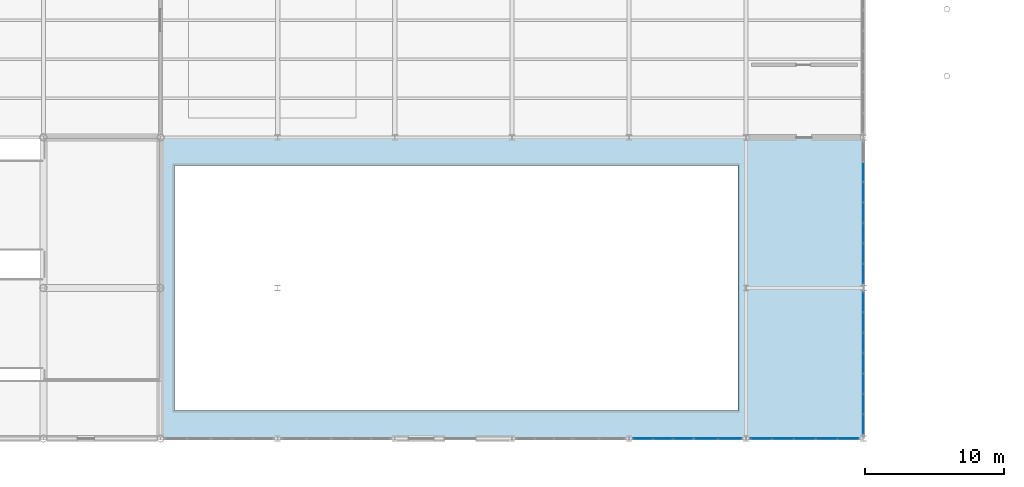
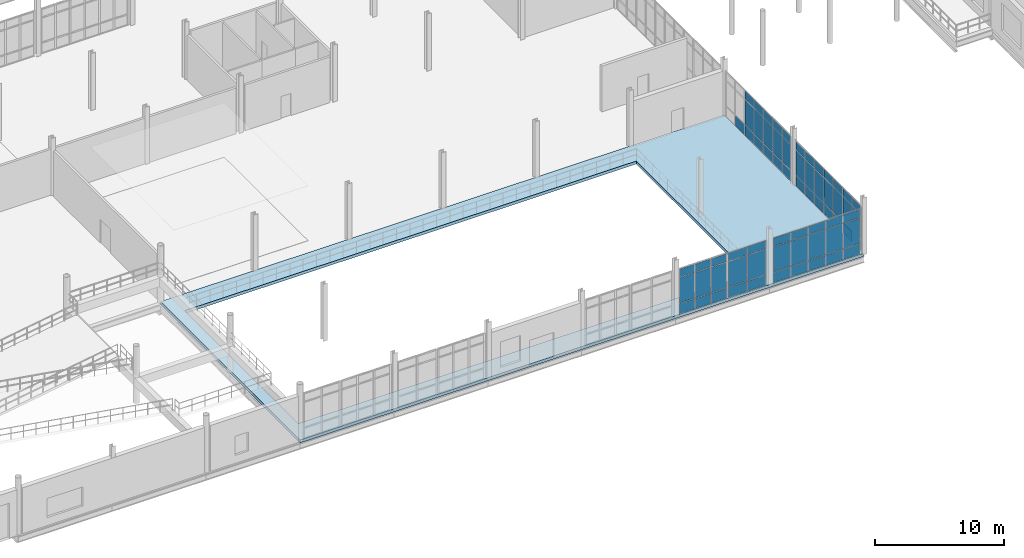
# One storey, part 81 of 111: 67 plates, 1 slab, 5 elements without a shape of their own.
"""IFC4 building model written with IfcOpenShell, lengths in metres."""

from ifc_helpers import new_model, si_unit, direction, frame, origin, origin_2d, place, context, subcontext, project, spatial, polyline, rectangle, outline, extrude, material, layer, layer_set, type_object, element, aggregate, save


model = new_model("IFC4")

# Units and contexts
model_context = context("Model", 3, precision=1e-05, world=origin(), true_north=direction((0.0, 1.0)))
body_context = subcontext(model_context, "Body", "Model", "MODEL_VIEW")
ifc_project = project(units=[si_unit("LENGTHUNIT", "METRE"), si_unit("AREAUNIT", "SQUARE_METRE"), si_unit("VOLUMEUNIT", "CUBIC_METRE"), si_unit("PLANEANGLEUNIT", "RADIAN"), si_unit("MASSUNIT", "GRAM", prefix="KILO"), si_unit("THERMODYNAMICTEMPERATUREUNIT", "KELVIN"), si_unit("POWERUNIT", "WATT")], contexts=[model_context])

# Site, building, storey
site_placement = place(None, origin())
site = spatial("IfcSite", under=ifc_project, at=site_placement, CompositionType="ELEMENT")
building_placement = place(site_placement, origin())
building = spatial("IfcBuilding", under=site, at=building_placement, Name="Tembeka Court Mobility Hub", CompositionType="ELEMENT")
storey_placement = place(building_placement, origin())
storey = spatial("IfcBuildingStorey", under=building, at=storey_placement, Name="L00", CompositionType="ELEMENT", Elevation=0.0)

# Curtain wall, plates
ifc_material_1 = material(Name="Anodised aluminium 6063-T6", Category="aluminium")
ifc_layer_1 = layer(ifc_material_1, 0.159912109375)
ifc_layer_set_1 = layer_set([ifc_layer_1], Name="Anodised aluminium 6063-T6")
curtain_wall_type_1 = type_object("IfcCurtainWallType", Name="CW-SYS09", PredefinedType="USERDEFINED", material=ifc_layer_set_1)
curtain_wall_1_placement = place(storey_placement, origin())
curtain_wall_1 = element("IfcCurtainWall", 1, at=curtain_wall_1_placement, inside=storey, type_object=curtain_wall_type_1, Name="Unitised curtain wall CW09 (CW-L00-009)", ObjectType="UNITISED GLAZING", PredefinedType="USERDEFINED")
ifc_material_2 = material(Name="Laminated solar-control low-E glass", Category="glass")
ifc_layer_2 = layer(ifc_material_2, 0.028076171875)
ifc_layer_set_2 = layer_set([ifc_layer_2], Name="Laminated solar-control low-E glass")
plate_type_1 = type_object("IfcPlateType", Name="PL-CW01", PredefinedType="CURTAIN_PANEL", material=ifc_layer_set_2)
plate_1_placement = place(storey_placement, frame((81.126220703125, 0.0, 0.06494140625), z_axis=(0.0, 0.0, 1.0), x_axis=(1.0, 0.0, 0.0)))
plate_1 = element("IfcPlate", 2, at=plate_1_placement, type_object=plate_type_1, Name="CW09 panel 1.1", PredefinedType="CURTAIN_PANEL", context=body_context, shape_type="SweptSolid", body=[
    extrude(rectangle(XDim=1.642578125, YDim=0.028076171875, at=origin_2d()), origin(), (0.0, 0.0, 1.0), 0.952392578125),
])
plate_2_placement = place(storey_placement, frame((81.126220703125, 0.0, 1.08251953125), z_axis=(0.0, 0.0, 1.0), x_axis=(1.0, 0.0, 0.0)))
plate_2 = element("IfcPlate", 3, at=plate_2_placement, type_object=plate_type_1, Name="CW09 panel 1.2", PredefinedType="CURTAIN_PANEL", context=body_context, shape_type="SweptSolid", body=[
    extrude(rectangle(XDim=1.642578125, YDim=0.028076171875, at=origin_2d()), origin(), (0.0, 0.0, 1.0), 2.3701171875),
])
plate_3_placement = place(storey_placement, frame((81.126220703125, 0.0, 3.517578125), z_axis=(0.0, 0.0, 1.0), x_axis=(1.0, 0.0, 0.0)))
plate_3 = element("IfcPlate", 4, at=plate_3_placement, type_object=plate_type_1, Name="CW09 panel 1.3", PredefinedType="CURTAIN_PANEL", context=body_context, shape_type="SweptSolid", body=[
    extrude(rectangle(XDim=1.642578125, YDim=0.028076171875, at=origin_2d()), origin(), (0.0, 0.0, 1.0), 0.75244140625),
])
plate_4_placement = place(storey_placement, frame((82.833740234375, 0.0, 0.06494140625), z_axis=(0.0, 0.0, 1.0), x_axis=(1.0, 0.0, 0.0)))
plate_4 = element("IfcPlate", 5, at=plate_4_placement, type_object=plate_type_1, Name="CW09 panel 2.1", PredefinedType="CURTAIN_PANEL", context=body_context, shape_type="SweptSolid", body=[
    extrude(rectangle(XDim=1.642578125, YDim=0.028076171875, at=origin_2d()), origin(), (0.0, 0.0, 1.0), 0.952392578125),
])
plate_5_placement = place(storey_placement, frame((82.833740234375, 0.0, 1.08251953125), z_axis=(0.0, 0.0, 1.0), x_axis=(1.0, 0.0, 0.0)))
plate_5 = element("IfcPlate", 6, at=plate_5_placement, type_object=plate_type_1, Name="CW09 panel 2.2", PredefinedType="CURTAIN_PANEL", context=body_context, shape_type="SweptSolid", body=[
    extrude(rectangle(XDim=1.642578125, YDim=0.028076171875, at=origin_2d()), origin(), (0.0, 0.0, 1.0), 2.3701171875),
])
plate_6_placement = place(storey_placement, frame((82.833740234375, 0.0, 3.517578125), z_axis=(0.0, 0.0, 1.0), x_axis=(1.0, 0.0, 0.0)))
plate_6 = element("IfcPlate", 7, at=plate_6_placement, type_object=plate_type_1, Name="CW09 panel 2.3", PredefinedType="CURTAIN_PANEL", context=body_context, shape_type="SweptSolid", body=[
    extrude(rectangle(XDim=1.642578125, YDim=0.028076171875, at=origin_2d()), origin(), (0.0, 0.0, 1.0), 0.75244140625),
])
aggregate(curtain_wall_1, [plate_1, plate_2, plate_3, plate_4, plate_5, plate_6])

ifc_layer_3 = layer(ifc_material_1, 0.159912109375)
ifc_layer_set_3 = layer_set([ifc_layer_3], Name="Anodised aluminium 6063-T6")
curtain_wall_type_2 = type_object("IfcCurtainWallType", Name="CW-SYS01", PredefinedType="USERDEFINED", material=ifc_layer_set_3)
curtain_wall_2_placement = place(storey_placement, origin())
curtain_wall_2 = element("IfcCurtainWall", 8, at=curtain_wall_2_placement, inside=storey, type_object=curtain_wall_type_2, Name="Unitised curtain wall CW01 (CW-L00-010)", ObjectType="UNITISED GLAZING", PredefinedType="USERDEFINED")
plate_7_placement = place(storey_placement, frame((85.080322265625, 0.0, 0.06494140625), z_axis=(0.0, 0.0, 1.0), x_axis=(1.0, 0.0, 0.0)))
plate_7 = element("IfcPlate", 9, at=plate_7_placement, type_object=plate_type_1, Name="CW01 panel 1.1", PredefinedType="CURTAIN_PANEL", context=body_context, shape_type="SweptSolid", body=[
    extrude(rectangle(XDim=1.470458984375, YDim=0.028076171875, at=origin_2d()), origin(), (0.0, 0.0, 1.0), 0.952392578125),
])
plate_8_placement = place(storey_placement, frame((85.080322265625, 0.0, 1.08251953125), z_axis=(0.0, 0.0, 1.0), x_axis=(1.0, 0.0, 0.0)))
plate_8 = element("IfcPlate", 10, at=plate_8_placement, type_object=plate_type_1, Name="CW01 panel 1.2", PredefinedType="CURTAIN_PANEL", context=body_context, shape_type="SweptSolid", body=[
    extrude(rectangle(XDim=1.470458984375, YDim=0.028076171875, at=origin_2d()), origin(), (0.0, 0.0, 1.0), 2.3701171875),
])
plate_9_placement = place(storey_placement, frame((85.080322265625, 0.0, 3.517578125), z_axis=(0.0, 0.0, 1.0), x_axis=(1.0, 0.0, 0.0)))
plate_9 = element("IfcPlate", 11, at=plate_9_placement, type_object=plate_type_1, Name="CW01 panel 1.3", PredefinedType="CURTAIN_PANEL", context=body_context, shape_type="SweptSolid", body=[
    extrude(rectangle(XDim=1.470458984375, YDim=0.028076171875, at=origin_2d()), origin(), (0.0, 0.0, 1.0), 0.75244140625),
])
plate_10_placement = place(storey_placement, frame((86.632080078125, 0.0, 0.06494140625), z_axis=(0.0, 0.0, 1.0), x_axis=(1.0, 0.0, 0.0)))
plate_10 = element("IfcPlate", 12, at=plate_10_placement, type_object=plate_type_1, Name="CW01 panel 2.1", PredefinedType="CURTAIN_PANEL", context=body_context, shape_type="SweptSolid", body=[
    extrude(rectangle(XDim=1.5029296875, YDim=0.028076171875, at=origin_2d()), origin(), (0.0, 0.0, 1.0), 0.952392578125),
])
plate_11_placement = place(storey_placement, frame((86.632080078125, 0.0, 1.08251953125), z_axis=(0.0, 0.0, 1.0), x_axis=(1.0, 0.0, 0.0)))
plate_11 = element("IfcPlate", 13, at=plate_11_placement, type_object=plate_type_1, Name="CW01 panel 2.2", PredefinedType="CURTAIN_PANEL", context=body_context, shape_type="SweptSolid", body=[
    extrude(rectangle(XDim=1.5029296875, YDim=0.028076171875, at=origin_2d()), origin(), (0.0, 0.0, 1.0), 2.3701171875),
])
plate_12_placement = place(storey_placement, frame((86.632080078125, 0.0, 3.517578125), z_axis=(0.0, 0.0, 1.0), x_axis=(1.0, 0.0, 0.0)))
plate_12 = element("IfcPlate", 14, at=plate_12_placement, type_object=plate_type_1, Name="CW01 panel 2.3", PredefinedType="CURTAIN_PANEL", context=body_context, shape_type="SweptSolid", body=[
    extrude(rectangle(XDim=1.5029296875, YDim=0.028076171875, at=origin_2d()), origin(), (0.0, 0.0, 1.0), 0.75244140625),
])
plate_13_placement = place(storey_placement, frame((88.199951171875, 0.0, 0.06494140625), z_axis=(0.0, 0.0, 1.0), x_axis=(1.0, 0.0, 0.0)))
plate_13 = element("IfcPlate", 15, at=plate_13_placement, type_object=plate_type_1, Name="CW01 panel 3.1", PredefinedType="CURTAIN_PANEL", context=body_context, shape_type="SweptSolid", body=[
    extrude(rectangle(XDim=1.5029296875, YDim=0.028076171875, at=origin_2d()), origin(), (0.0, 0.0, 1.0), 0.952392578125),
])
plate_14_placement = place(storey_placement, frame((88.199951171875, 0.0, 1.08251953125), z_axis=(0.0, 0.0, 1.0), x_axis=(1.0, 0.0, 0.0)))
plate_14 = element("IfcPlate", 16, at=plate_14_placement, type_object=plate_type_1, Name="CW01 panel 3.2", PredefinedType="CURTAIN_PANEL", context=body_context, shape_type="SweptSolid", body=[
    extrude(rectangle(XDim=1.5029296875, YDim=0.028076171875, at=origin_2d()), origin(), (0.0, 0.0, 1.0), 2.3701171875),
])
plate_15_placement = place(storey_placement, frame((88.199951171875, 0.0, 3.517578125), z_axis=(0.0, 0.0, 1.0), x_axis=(1.0, 0.0, 0.0)))
plate_15 = element("IfcPlate", 17, at=plate_15_placement, type_object=plate_type_1, Name="CW01 panel 3.3", PredefinedType="CURTAIN_PANEL", context=body_context, shape_type="SweptSolid", body=[
    extrude(rectangle(XDim=1.5029296875, YDim=0.028076171875, at=origin_2d()), origin(), (0.0, 0.0, 1.0), 0.75244140625),
])
plate_16_placement = place(storey_placement, frame((89.76806640625, 0.0, 0.06494140625), z_axis=(0.0, 0.0, 1.0), x_axis=(1.0, 0.0, 0.0)))
plate_16 = element("IfcPlate", 18, at=plate_16_placement, type_object=plate_type_1, Name="CW01 panel 4.1", PredefinedType="CURTAIN_PANEL", context=body_context, shape_type="SweptSolid", body=[
    extrude(rectangle(XDim=1.5029296875, YDim=0.028076171875, at=origin_2d()), origin(), (0.0, 0.0, 1.0), 0.952392578125),
])
plate_17_placement = place(storey_placement, frame((89.76806640625, 0.0, 1.08251953125), z_axis=(0.0, 0.0, 1.0), x_axis=(1.0, 0.0, 0.0)))
plate_17 = element("IfcPlate", 19, at=plate_17_placement, type_object=plate_type_1, Name="CW01 panel 4.2", PredefinedType="CURTAIN_PANEL", context=body_context, shape_type="SweptSolid", body=[
    extrude(rectangle(XDim=1.5029296875, YDim=0.028076171875, at=origin_2d()), origin(), (0.0, 0.0, 1.0), 2.3701171875),
])
plate_18_placement = place(storey_placement, frame((89.76806640625, 0.0, 3.517578125), z_axis=(0.0, 0.0, 1.0), x_axis=(1.0, 0.0, 0.0)))
plate_18 = element("IfcPlate", 20, at=plate_18_placement, type_object=plate_type_1, Name="CW01 panel 4.3", PredefinedType="CURTAIN_PANEL", context=body_context, shape_type="SweptSolid", body=[
    extrude(rectangle(XDim=1.5029296875, YDim=0.028076171875, at=origin_2d()), origin(), (0.0, 0.0, 1.0), 0.75244140625),
])
plate_19_placement = place(storey_placement, frame((91.31982421875, 0.0, 0.06494140625), z_axis=(0.0, 0.0, 1.0), x_axis=(1.0, 0.0, 0.0)))
plate_19 = element("IfcPlate", 21, at=plate_19_placement, type_object=plate_type_1, Name="CW01 panel 5.1", PredefinedType="CURTAIN_PANEL", context=body_context, shape_type="SweptSolid", body=[
    extrude(rectangle(XDim=1.470458984375, YDim=0.028076171875, at=origin_2d()), origin(), (0.0, 0.0, 1.0), 0.952392578125),
])
plate_20_placement = place(storey_placement, frame((91.31982421875, 0.0, 1.08251953125), z_axis=(0.0, 0.0, 1.0), x_axis=(1.0, 0.0, 0.0)))
plate_20 = element("IfcPlate", 22, at=plate_20_placement, type_object=plate_type_1, Name="CW01 panel 5.2", PredefinedType="CURTAIN_PANEL", context=body_context, shape_type="SweptSolid", body=[
    extrude(rectangle(XDim=1.470458984375, YDim=0.028076171875, at=origin_2d()), origin(), (0.0, 0.0, 1.0), 2.3701171875),
])
plate_21_placement = place(storey_placement, frame((91.31982421875, 0.0, 3.517578125), z_axis=(0.0, 0.0, 1.0), x_axis=(1.0, 0.0, 0.0)))
plate_21 = element("IfcPlate", 23, at=plate_21_placement, type_object=plate_type_1, Name="CW01 panel 5.3", PredefinedType="CURTAIN_PANEL", context=body_context, shape_type="SweptSolid", body=[
    extrude(rectangle(XDim=1.470458984375, YDim=0.028076171875, at=origin_2d()), origin(), (0.0, 0.0, 1.0), 0.75244140625),
])
aggregate(curtain_wall_2, [plate_7, plate_8, plate_9, plate_10, plate_11, plate_12, plate_13, plate_14, plate_15, plate_16, plate_17, plate_18, plate_19, plate_20, plate_21])

ifc_layer_4 = layer(ifc_material_1, 0.159912109375)
ifc_layer_set_4 = layer_set([ifc_layer_4], Name="Anodised aluminium 6063-T6")
curtain_wall_type_3 = type_object("IfcCurtainWallType", Name="CW-SYS18", PredefinedType="USERDEFINED", material=ifc_layer_set_4)
curtain_wall_3_placement = place(storey_placement, origin())
curtain_wall_3 = element("IfcCurtainWall", 24, at=curtain_wall_3_placement, inside=storey, type_object=curtain_wall_type_3, Name="Unitised curtain wall CW18 (CW-L00-023)", ObjectType="UNITISED GLAZING", PredefinedType="USERDEFINED")
plate_22_placement = place(storey_placement, frame((92.39990234375, 1.027587890625, 0.06494140625), z_axis=(0.0, 0.0, 1.0), x_axis=(0.0, 1.0, 0.0)))
plate_22 = element("IfcPlate", 25, at=plate_22_placement, type_object=plate_type_1, Name="CW18 panel 1.1", PredefinedType="CURTAIN_PANEL", context=body_context, shape_type="SweptSolid", body=[
    extrude(rectangle(XDim=1.365478515625, YDim=0.028076171875, at=origin_2d()), origin(), (0.0, 0.0, 1.0), 0.952392578125),
])
plate_23_placement = place(storey_placement, frame((92.39990234375, 1.027587890625, 1.08251953125), z_axis=(0.0, 0.0, 1.0), x_axis=(0.0, 1.0, 0.0)))
plate_23 = element("IfcPlate", 26, at=plate_23_placement, type_object=plate_type_1, Name="CW18 panel 1.2", PredefinedType="CURTAIN_PANEL", context=body_context, shape_type="SweptSolid", body=[
    extrude(rectangle(XDim=1.365478515625, YDim=0.028076171875, at=origin_2d()), origin(), (0.0, 0.0, 1.0), 2.3701171875),
])
plate_24_placement = place(storey_placement, frame((92.39990234375, 1.027587890625, 3.517578125), z_axis=(0.0, 0.0, 1.0), x_axis=(0.0, 1.0, 0.0)))
plate_24 = element("IfcPlate", 27, at=plate_24_placement, type_object=plate_type_1, Name="CW18 panel 1.3", PredefinedType="CURTAIN_PANEL", context=body_context, shape_type="SweptSolid", body=[
    extrude(rectangle(XDim=1.365478515625, YDim=0.028076171875, at=origin_2d()), origin(), (0.0, 0.0, 1.0), 0.75244140625),
])
plate_25_placement = place(storey_placement, frame((92.39990234375, 2.474365234375, 0.06494140625), z_axis=(0.0, 0.0, 1.0), x_axis=(0.0, 1.0, 0.0)))
plate_25 = element("IfcPlate", 28, at=plate_25_placement, type_object=plate_type_1, Name="CW18 panel 2.1", PredefinedType="CURTAIN_PANEL", context=body_context, shape_type="SweptSolid", body=[
    extrude(rectangle(XDim=1.39794921875, YDim=0.028076171875, at=origin_2d()), origin(), (0.0, 0.0, 1.0), 0.952392578125),
])
plate_26_placement = place(storey_placement, frame((92.39990234375, 2.474365234375, 1.08251953125), z_axis=(0.0, 0.0, 1.0), x_axis=(0.0, 1.0, 0.0)))
plate_26 = element("IfcPlate", 29, at=plate_26_placement, type_object=plate_type_1, Name="CW18 panel 2.2", PredefinedType="CURTAIN_PANEL", context=body_context, shape_type="SweptSolid", body=[
    extrude(rectangle(XDim=1.39794921875, YDim=0.028076171875, at=origin_2d()), origin(), (0.0, 0.0, 1.0), 2.3701171875),
])
plate_27_placement = place(storey_placement, frame((92.39990234375, 2.474365234375, 3.517578125), z_axis=(0.0, 0.0, 1.0), x_axis=(0.0, 1.0, 0.0)))
plate_27 = element("IfcPlate", 30, at=plate_27_placement, type_object=plate_type_1, Name="CW18 panel 2.3", PredefinedType="CURTAIN_PANEL", context=body_context, shape_type="SweptSolid", body=[
    extrude(rectangle(XDim=1.39794921875, YDim=0.028076171875, at=origin_2d()), origin(), (0.0, 0.0, 1.0), 0.75244140625),
])
plate_28_placement = place(storey_placement, frame((92.39990234375, 3.937255859375, 0.06494140625), z_axis=(0.0, 0.0, 1.0), x_axis=(0.0, 1.0, 0.0)))
plate_28 = element("IfcPlate", 31, at=plate_28_placement, type_object=plate_type_1, Name="CW18 panel 3.1", PredefinedType="CURTAIN_PANEL", context=body_context, shape_type="SweptSolid", body=[
    extrude(rectangle(XDim=1.39794921875, YDim=0.028076171875, at=origin_2d()), origin(), (0.0, 0.0, 1.0), 0.952392578125),
])
plate_29_placement = place(storey_placement, frame((92.39990234375, 3.937255859375, 1.08251953125), z_axis=(0.0, 0.0, 1.0), x_axis=(0.0, 1.0, 0.0)))
plate_29 = element("IfcPlate", 32, at=plate_29_placement, type_object=plate_type_1, Name="CW18 panel 3.2", PredefinedType="CURTAIN_PANEL", context=body_context, shape_type="SweptSolid", body=[
    extrude(rectangle(XDim=1.39794921875, YDim=0.028076171875, at=origin_2d()), origin(), (0.0, 0.0, 1.0), 2.3701171875),
])
plate_30_placement = place(storey_placement, frame((92.39990234375, 3.937255859375, 3.517578125), z_axis=(0.0, 0.0, 1.0), x_axis=(0.0, 1.0, 0.0)))
plate_30 = element("IfcPlate", 33, at=plate_30_placement, type_object=plate_type_1, Name="CW18 panel 3.3", PredefinedType="CURTAIN_PANEL", context=body_context, shape_type="SweptSolid", body=[
    extrude(rectangle(XDim=1.39794921875, YDim=0.028076171875, at=origin_2d()), origin(), (0.0, 0.0, 1.0), 0.75244140625),
])
plate_31_placement = place(storey_placement, frame((92.39990234375, 5.39990234375, 0.06494140625), z_axis=(0.0, 0.0, 1.0), x_axis=(0.0, 1.0, 0.0)))
plate_31 = element("IfcPlate", 34, at=plate_31_placement, type_object=plate_type_1, Name="CW18 panel 4.1", PredefinedType="CURTAIN_PANEL", context=body_context, shape_type="SweptSolid", body=[
    extrude(rectangle(XDim=1.39794921875, YDim=0.028076171875, at=origin_2d()), origin(), (0.0, 0.0, 1.0), 0.952392578125),
])
plate_32_placement = place(storey_placement, frame((92.39990234375, 5.39990234375, 1.08251953125), z_axis=(0.0, 0.0, 1.0), x_axis=(0.0, 1.0, 0.0)))
plate_32 = element("IfcPlate", 35, at=plate_32_placement, type_object=plate_type_1, Name="CW18 panel 4.2", PredefinedType="CURTAIN_PANEL", context=body_context, shape_type="SweptSolid", body=[
    extrude(rectangle(XDim=1.39794921875, YDim=0.028076171875, at=origin_2d()), origin(), (0.0, 0.0, 1.0), 2.3701171875),
])
plate_33_placement = place(storey_placement, frame((92.39990234375, 5.39990234375, 3.517578125), z_axis=(0.0, 0.0, 1.0), x_axis=(0.0, 1.0, 0.0)))
plate_33 = element("IfcPlate", 36, at=plate_33_placement, type_object=plate_type_1, Name="CW18 panel 4.3", PredefinedType="CURTAIN_PANEL", context=body_context, shape_type="SweptSolid", body=[
    extrude(rectangle(XDim=1.39794921875, YDim=0.028076171875, at=origin_2d()), origin(), (0.0, 0.0, 1.0), 0.75244140625),
])
plate_34_placement = place(storey_placement, frame((92.39990234375, 6.86279296875, 0.06494140625), z_axis=(0.0, 0.0, 1.0), x_axis=(0.0, 1.0, 0.0)))
plate_34 = element("IfcPlate", 37, at=plate_34_placement, type_object=plate_type_1, Name="CW18 panel 5.1", PredefinedType="CURTAIN_PANEL", context=body_context, shape_type="SweptSolid", body=[
    extrude(rectangle(XDim=1.39794921875, YDim=0.028076171875, at=origin_2d()), origin(), (0.0, 0.0, 1.0), 0.952392578125),
])
plate_35_placement = place(storey_placement, frame((92.39990234375, 6.86279296875, 1.08251953125), z_axis=(0.0, 0.0, 1.0), x_axis=(0.0, 1.0, 0.0)))
plate_35 = element("IfcPlate", 38, at=plate_35_placement, type_object=plate_type_1, Name="CW18 panel 5.2", PredefinedType="CURTAIN_PANEL", context=body_context, shape_type="SweptSolid", body=[
    extrude(rectangle(XDim=1.39794921875, YDim=0.028076171875, at=origin_2d()), origin(), (0.0, 0.0, 1.0), 2.3701171875),
])
plate_36_placement = place(storey_placement, frame((92.39990234375, 6.86279296875, 3.517578125), z_axis=(0.0, 0.0, 1.0), x_axis=(0.0, 1.0, 0.0)))
plate_36 = element("IfcPlate", 39, at=plate_36_placement, type_object=plate_type_1, Name="CW18 panel 5.3", PredefinedType="CURTAIN_PANEL", context=body_context, shape_type="SweptSolid", body=[
    extrude(rectangle(XDim=1.39794921875, YDim=0.028076171875, at=origin_2d()), origin(), (0.0, 0.0, 1.0), 0.75244140625),
])
plate_37_placement = place(storey_placement, frame((92.39990234375, 8.32568359375, 0.06494140625), z_axis=(0.0, 0.0, 1.0), x_axis=(0.0, 1.0, 0.0)))
plate_37 = element("IfcPlate", 40, at=plate_37_placement, type_object=plate_type_1, Name="CW18 panel 6.1", PredefinedType="CURTAIN_PANEL", context=body_context, shape_type="SweptSolid", body=[
    extrude(rectangle(XDim=1.39794921875, YDim=0.028076171875, at=origin_2d()), origin(), (0.0, 0.0, 1.0), 0.952392578125),
])
plate_38_placement = place(storey_placement, frame((92.39990234375, 8.32568359375, 1.08251953125), z_axis=(0.0, 0.0, 1.0), x_axis=(0.0, 1.0, 0.0)))
plate_38 = element("IfcPlate", 41, at=plate_38_placement, type_object=plate_type_1, Name="CW18 panel 6.2", PredefinedType="CURTAIN_PANEL", context=body_context, shape_type="SweptSolid", body=[
    extrude(rectangle(XDim=1.39794921875, YDim=0.028076171875, at=origin_2d()), origin(), (0.0, 0.0, 1.0), 2.3701171875),
])
plate_39_placement = place(storey_placement, frame((92.39990234375, 8.32568359375, 3.517578125), z_axis=(0.0, 0.0, 1.0), x_axis=(0.0, 1.0, 0.0)))
plate_39 = element("IfcPlate", 42, at=plate_39_placement, type_object=plate_type_1, Name="CW18 panel 6.3", PredefinedType="CURTAIN_PANEL", context=body_context, shape_type="SweptSolid", body=[
    extrude(rectangle(XDim=1.39794921875, YDim=0.028076171875, at=origin_2d()), origin(), (0.0, 0.0, 1.0), 0.75244140625),
])
plate_40_placement = place(storey_placement, frame((92.39990234375, 9.772216796875, 0.06494140625), z_axis=(0.0, 0.0, 1.0), x_axis=(0.0, 1.0, 0.0)))
plate_40 = element("IfcPlate", 43, at=plate_40_placement, type_object=plate_type_1, Name="CW18 panel 7.1", PredefinedType="CURTAIN_PANEL", context=body_context, shape_type="SweptSolid", body=[
    extrude(rectangle(XDim=1.365478515625, YDim=0.028076171875, at=origin_2d()), origin(), (0.0, 0.0, 1.0), 0.952392578125),
])
plate_41_placement = place(storey_placement, frame((92.39990234375, 9.772216796875, 1.08251953125), z_axis=(0.0, 0.0, 1.0), x_axis=(0.0, 1.0, 0.0)))
plate_41 = element("IfcPlate", 44, at=plate_41_placement, type_object=plate_type_1, Name="CW18 panel 7.2", PredefinedType="CURTAIN_PANEL", context=body_context, shape_type="SweptSolid", body=[
    extrude(rectangle(XDim=1.365478515625, YDim=0.028076171875, at=origin_2d()), origin(), (0.0, 0.0, 1.0), 2.3701171875),
])
plate_42_placement = place(storey_placement, frame((92.39990234375, 9.772216796875, 3.517578125), z_axis=(0.0, 0.0, 1.0), x_axis=(0.0, 1.0, 0.0)))
plate_42 = element("IfcPlate", 45, at=plate_42_placement, type_object=plate_type_1, Name="CW18 panel 7.3", PredefinedType="CURTAIN_PANEL", context=body_context, shape_type="SweptSolid", body=[
    extrude(rectangle(XDim=1.365478515625, YDim=0.028076171875, at=origin_2d()), origin(), (0.0, 0.0, 1.0), 0.75244140625),
])
aggregate(curtain_wall_3, [plate_22, plate_23, plate_24, plate_25, plate_26, plate_27, plate_28, plate_29, plate_30, plate_31, plate_32, plate_33, plate_34, plate_35, plate_36, plate_37, plate_38, plate_39, plate_40, plate_41, plate_42])

curtain_wall_4_placement = place(storey_placement, origin())
curtain_wall_4 = element("IfcCurtainWall", 46, at=curtain_wall_4_placement, inside=storey, type_object=curtain_wall_type_3, Name="Unitised curtain wall CW18 (CW-L00-025)", ObjectType="UNITISED GLAZING", PredefinedType="USERDEFINED")
plate_43_placement = place(storey_placement, frame((92.39990234375, 11.82763671875, 0.06494140625), z_axis=(0.0, 0.0, 1.0), x_axis=(0.0, 1.0, 0.0)))
plate_43 = element("IfcPlate", 47, at=plate_43_placement, type_object=plate_type_1, Name="CW18 panel 1.1", PredefinedType="CURTAIN_PANEL", context=body_context, shape_type="SweptSolid", body=[
    extrude(rectangle(XDim=1.365478515625, YDim=0.028076171875, at=origin_2d()), origin(), (0.0, 0.0, 1.0), 0.952392578125),
])
plate_44_placement = place(storey_placement, frame((92.39990234375, 11.82763671875, 1.08251953125), z_axis=(0.0, 0.0, 1.0), x_axis=(0.0, 1.0, 0.0)))
plate_44 = element("IfcPlate", 48, at=plate_44_placement, type_object=plate_type_1, Name="CW18 panel 1.2", PredefinedType="CURTAIN_PANEL", context=body_context, shape_type="SweptSolid", body=[
    extrude(rectangle(XDim=1.365478515625, YDim=0.028076171875, at=origin_2d()), origin(), (0.0, 0.0, 1.0), 2.3701171875),
])
plate_45_placement = place(storey_placement, frame((92.39990234375, 11.82763671875, 3.517578125), z_axis=(0.0, 0.0, 1.0), x_axis=(0.0, 1.0, 0.0)))
plate_45 = element("IfcPlate", 49, at=plate_45_placement, type_object=plate_type_1, Name="CW18 panel 1.3", PredefinedType="CURTAIN_PANEL", context=body_context, shape_type="SweptSolid", body=[
    extrude(rectangle(XDim=1.365478515625, YDim=0.028076171875, at=origin_2d()), origin(), (0.0, 0.0, 1.0), 0.75244140625),
])
plate_46_placement = place(storey_placement, frame((92.39990234375, 13.274169921875, 0.06494140625), z_axis=(0.0, 0.0, 1.0), x_axis=(0.0, 1.0, 0.0)))
plate_46 = element("IfcPlate", 50, at=plate_46_placement, type_object=plate_type_1, Name="CW18 panel 2.1", PredefinedType="CURTAIN_PANEL", context=body_context, shape_type="SweptSolid", body=[
    extrude(rectangle(XDim=1.39794921875, YDim=0.028076171875, at=origin_2d()), origin(), (0.0, 0.0, 1.0), 0.952392578125),
])
plate_47_placement = place(storey_placement, frame((92.39990234375, 13.274169921875, 1.08251953125), z_axis=(0.0, 0.0, 1.0), x_axis=(0.0, 1.0, 0.0)))
plate_47 = element("IfcPlate", 51, at=plate_47_placement, type_object=plate_type_1, Name="CW18 panel 2.2", PredefinedType="CURTAIN_PANEL", context=body_context, shape_type="SweptSolid", body=[
    extrude(rectangle(XDim=1.39794921875, YDim=0.028076171875, at=origin_2d()), origin(), (0.0, 0.0, 1.0), 2.3701171875),
])
plate_48_placement = place(storey_placement, frame((92.39990234375, 13.274169921875, 3.517578125), z_axis=(0.0, 0.0, 1.0), x_axis=(0.0, 1.0, 0.0)))
plate_48 = element("IfcPlate", 52, at=plate_48_placement, type_object=plate_type_1, Name="CW18 panel 2.3", PredefinedType="CURTAIN_PANEL", context=body_context, shape_type="SweptSolid", body=[
    extrude(rectangle(XDim=1.39794921875, YDim=0.028076171875, at=origin_2d()), origin(), (0.0, 0.0, 1.0), 0.75244140625),
])
plate_49_placement = place(storey_placement, frame((92.39990234375, 14.737060546875, 0.06494140625), z_axis=(0.0, 0.0, 1.0), x_axis=(0.0, 1.0, 0.0)))
plate_49 = element("IfcPlate", 53, at=plate_49_placement, type_object=plate_type_1, Name="CW18 panel 3.1", PredefinedType="CURTAIN_PANEL", context=body_context, shape_type="SweptSolid", body=[
    extrude(rectangle(XDim=1.39794921875, YDim=0.028076171875, at=origin_2d()), origin(), (0.0, 0.0, 1.0), 0.952392578125),
])
plate_50_placement = place(storey_placement, frame((92.39990234375, 14.737060546875, 1.08251953125), z_axis=(0.0, 0.0, 1.0), x_axis=(0.0, 1.0, 0.0)))
plate_50 = element("IfcPlate", 54, at=plate_50_placement, type_object=plate_type_1, Name="CW18 panel 3.2", PredefinedType="CURTAIN_PANEL", context=body_context, shape_type="SweptSolid", body=[
    extrude(rectangle(XDim=1.39794921875, YDim=0.028076171875, at=origin_2d()), origin(), (0.0, 0.0, 1.0), 2.3701171875),
])
plate_51_placement = place(storey_placement, frame((92.39990234375, 14.737060546875, 3.517578125), z_axis=(0.0, 0.0, 1.0), x_axis=(0.0, 1.0, 0.0)))
plate_51 = element("IfcPlate", 55, at=plate_51_placement, type_object=plate_type_1, Name="CW18 panel 3.3", PredefinedType="CURTAIN_PANEL", context=body_context, shape_type="SweptSolid", body=[
    extrude(rectangle(XDim=1.39794921875, YDim=0.028076171875, at=origin_2d()), origin(), (0.0, 0.0, 1.0), 0.75244140625),
])
plate_52_placement = place(storey_placement, frame((92.39990234375, 16.199951171875, 0.06494140625), z_axis=(0.0, 0.0, 1.0), x_axis=(0.0, 1.0, 0.0)))
plate_52 = element("IfcPlate", 56, at=plate_52_placement, type_object=plate_type_1, Name="CW18 panel 4.1", PredefinedType="CURTAIN_PANEL", context=body_context, shape_type="SweptSolid", body=[
    extrude(rectangle(XDim=1.39794921875, YDim=0.028076171875, at=origin_2d()), origin(), (0.0, 0.0, 1.0), 0.952392578125),
])
plate_53_placement = place(storey_placement, frame((92.39990234375, 16.199951171875, 1.08251953125), z_axis=(0.0, 0.0, 1.0), x_axis=(0.0, 1.0, 0.0)))
plate_53 = element("IfcPlate", 57, at=plate_53_placement, type_object=plate_type_1, Name="CW18 panel 4.2", PredefinedType="CURTAIN_PANEL", context=body_context, shape_type="SweptSolid", body=[
    extrude(rectangle(XDim=1.39794921875, YDim=0.028076171875, at=origin_2d()), origin(), (0.0, 0.0, 1.0), 2.3701171875),
])
plate_54_placement = place(storey_placement, frame((92.39990234375, 16.199951171875, 3.517578125), z_axis=(0.0, 0.0, 1.0), x_axis=(0.0, 1.0, 0.0)))
plate_54 = element("IfcPlate", 58, at=plate_54_placement, type_object=plate_type_1, Name="CW18 panel 4.3", PredefinedType="CURTAIN_PANEL", context=body_context, shape_type="SweptSolid", body=[
    extrude(rectangle(XDim=1.39794921875, YDim=0.028076171875, at=origin_2d()), origin(), (0.0, 0.0, 1.0), 0.75244140625),
])
plate_55_placement = place(storey_placement, frame((92.39990234375, 17.662841796875, 0.06494140625), z_axis=(0.0, 0.0, 1.0), x_axis=(0.0, 1.0, 0.0)))
plate_55 = element("IfcPlate", 59, at=plate_55_placement, type_object=plate_type_1, Name="CW18 panel 5.1", PredefinedType="CURTAIN_PANEL", context=body_context, shape_type="SweptSolid", body=[
    extrude(rectangle(XDim=1.39794921875, YDim=0.028076171875, at=origin_2d()), origin(), (0.0, 0.0, 1.0), 0.952392578125),
])
plate_56_placement = place(storey_placement, frame((92.39990234375, 17.662841796875, 1.08251953125), z_axis=(0.0, 0.0, 1.0), x_axis=(0.0, 1.0, 0.0)))
plate_56 = element("IfcPlate", 60, at=plate_56_placement, type_object=plate_type_1, Name="CW18 panel 5.2", PredefinedType="CURTAIN_PANEL", context=body_context, shape_type="SweptSolid", body=[
    extrude(rectangle(XDim=1.39794921875, YDim=0.028076171875, at=origin_2d()), origin(), (0.0, 0.0, 1.0), 2.3701171875),
])
plate_57_placement = place(storey_placement, frame((92.39990234375, 17.662841796875, 3.517578125), z_axis=(0.0, 0.0, 1.0), x_axis=(0.0, 1.0, 0.0)))
plate_57 = element("IfcPlate", 61, at=plate_57_placement, type_object=plate_type_1, Name="CW18 panel 5.3", PredefinedType="CURTAIN_PANEL", context=body_context, shape_type="SweptSolid", body=[
    extrude(rectangle(XDim=1.39794921875, YDim=0.028076171875, at=origin_2d()), origin(), (0.0, 0.0, 1.0), 0.75244140625),
])
plate_58_placement = place(storey_placement, frame((92.39990234375, 19.125732421875, 0.06494140625), z_axis=(0.0, 0.0, 1.0), x_axis=(0.0, 1.0, 0.0)))
plate_58 = element("IfcPlate", 62, at=plate_58_placement, type_object=plate_type_1, Name="CW18 panel 6.1", PredefinedType="CURTAIN_PANEL", context=body_context, shape_type="SweptSolid", body=[
    extrude(rectangle(XDim=1.39794921875, YDim=0.028076171875, at=origin_2d()), origin(), (0.0, 0.0, 1.0), 0.952392578125),
])
aggregate(curtain_wall_4, [plate_43, plate_44, plate_45, plate_46, plate_47, plate_48, plate_49, plate_50, plate_51, plate_52, plate_53, plate_54, plate_55, plate_56, plate_57, plate_58])

ifc_layer_5 = layer(ifc_material_1, 0.159912109375)
ifc_layer_set_5 = layer_set([ifc_layer_5], Name="Anodised aluminium 6063-T6")
curtain_wall_type_4 = type_object("IfcCurtainWallType", Name="CW-SYS08", PredefinedType="USERDEFINED", material=ifc_layer_set_5)
curtain_wall_5_placement = place(storey_placement, origin())
curtain_wall_5 = element("IfcCurtainWall", 63, at=curtain_wall_5_placement, inside=storey, type_object=curtain_wall_type_4, Name="Unitised curtain wall CW08 (CW-L00-008)", ObjectType="UNITISED GLAZING", PredefinedType="USERDEFINED")
ifc_material_3 = material(Name="Insulated aluminium spandrel panel", Category="aluminium")
ifc_layer_6 = layer(ifc_material_3, 0.052001953125)
ifc_layer_set_6 = layer_set([ifc_layer_6], Name="Insulated aluminium spandrel panel")
plate_type_2 = type_object("IfcPlateType", Name="PL-CW02", PredefinedType="CURTAIN_PANEL", material=ifc_layer_set_6)
plate_59_placement = place(storey_placement, frame((76.6162109375, 0.0, 0.06494140625), z_axis=(0.0, 0.0, 1.0), x_axis=(1.0, 0.0, 0.0)))
plate_59 = element("IfcPlate", 64, at=plate_59_placement, type_object=plate_type_2, Name="CW08 panel 1.1", PredefinedType="CURTAIN_PANEL", context=body_context, shape_type="SweptSolid", body=[
    extrude(rectangle(XDim=1.342529296875, YDim=0.052001953125, at=origin_2d()), origin(), (0.0, 0.0, 1.0), 0.952392578125),
])
plate_60_placement = place(storey_placement, frame((76.6162109375, 0.0, 1.08251953125), z_axis=(0.0, 0.0, 1.0), x_axis=(1.0, 0.0, 0.0)))
plate_60 = element("IfcPlate", 65, at=plate_60_placement, type_object=plate_type_2, Name="CW08 panel 1.2", PredefinedType="CURTAIN_PANEL", context=body_context, shape_type="SweptSolid", body=[
    extrude(rectangle(XDim=1.342529296875, YDim=0.052001953125, at=origin_2d()), origin(), (0.0, 0.0, 1.0), 2.3701171875),
])
plate_61_placement = place(storey_placement, frame((76.6162109375, 0.0, 3.517578125), z_axis=(0.0, 0.0, 1.0), x_axis=(1.0, 0.0, 0.0)))
plate_61 = element("IfcPlate", 66, at=plate_61_placement, type_object=plate_type_2, Name="CW08 panel 1.3", PredefinedType="CURTAIN_PANEL", context=body_context, shape_type="SweptSolid", body=[
    extrude(rectangle(XDim=1.342529296875, YDim=0.052001953125, at=origin_2d()), origin(), (0.0, 0.0, 1.0), 0.75244140625),
])
plate_62_placement = place(storey_placement, frame((78.0400390625, 0.0, 0.06494140625), z_axis=(0.0, 0.0, 1.0), x_axis=(1.0, 0.0, 0.0)))
plate_62 = element("IfcPlate", 67, at=plate_62_placement, type_object=plate_type_2, Name="CW08 panel 2.1", PredefinedType="CURTAIN_PANEL", context=body_context, shape_type="SweptSolid", body=[
    extrude(rectangle(XDim=1.375, YDim=0.052001953125, at=origin_2d()), origin(), (0.0, 0.0, 1.0), 0.952392578125),
])
plate_63_placement = place(storey_placement, frame((78.0400390625, 0.0, 1.08251953125), z_axis=(0.0, 0.0, 1.0), x_axis=(1.0, 0.0, 0.0)))
plate_63 = element("IfcPlate", 68, at=plate_63_placement, type_object=plate_type_2, Name="CW08 panel 2.2", PredefinedType="CURTAIN_PANEL", context=body_context, shape_type="SweptSolid", body=[
    extrude(rectangle(XDim=1.375, YDim=0.052001953125, at=origin_2d()), origin(), (0.0, 0.0, 1.0), 2.3701171875),
])
plate_64_placement = place(storey_placement, frame((78.0400390625, 0.0, 3.517578125), z_axis=(0.0, 0.0, 1.0), x_axis=(1.0, 0.0, 0.0)))
plate_64 = element("IfcPlate", 69, at=plate_64_placement, type_object=plate_type_2, Name="CW08 panel 2.3", PredefinedType="CURTAIN_PANEL", context=body_context, shape_type="SweptSolid", body=[
    extrude(rectangle(XDim=1.375, YDim=0.052001953125, at=origin_2d()), origin(), (0.0, 0.0, 1.0), 0.75244140625),
])
plate_65_placement = place(storey_placement, frame((79.4638671875, 0.0, 0.06494140625), z_axis=(0.0, 0.0, 1.0), x_axis=(1.0, 0.0, 0.0)))
plate_65 = element("IfcPlate", 70, at=plate_65_placement, type_object=plate_type_2, Name="CW08 panel 3.1", PredefinedType="CURTAIN_PANEL", context=body_context, shape_type="SweptSolid", body=[
    extrude(rectangle(XDim=1.342529296875, YDim=0.052001953125, at=origin_2d()), origin(), (0.0, 0.0, 1.0), 0.952392578125),
])
plate_66_placement = place(storey_placement, frame((79.4638671875, 0.0, 1.08251953125), z_axis=(0.0, 0.0, 1.0), x_axis=(1.0, 0.0, 0.0)))
plate_66 = element("IfcPlate", 71, at=plate_66_placement, type_object=plate_type_2, Name="CW08 panel 3.2", PredefinedType="CURTAIN_PANEL", context=body_context, shape_type="SweptSolid", body=[
    extrude(rectangle(XDim=1.342529296875, YDim=0.052001953125, at=origin_2d()), origin(), (0.0, 0.0, 1.0), 2.3701171875),
])
plate_67_placement = place(storey_placement, frame((79.4638671875, 0.0, 3.517578125), z_axis=(0.0, 0.0, 1.0), x_axis=(1.0, 0.0, 0.0)))
plate_67 = element("IfcPlate", 72, at=plate_67_placement, type_object=plate_type_2, Name="CW08 panel 3.3", PredefinedType="CURTAIN_PANEL", context=body_context, shape_type="SweptSolid", body=[
    extrude(rectangle(XDim=1.342529296875, YDim=0.052001953125, at=origin_2d()), origin(), (0.0, 0.0, 1.0), 0.75244140625),
])
aggregate(curtain_wall_5, [plate_59, plate_60, plate_61, plate_62, plate_63, plate_64, plate_65, plate_66, plate_67])

# Slab
ifc_material_4 = material(Name="Concrete C40/50", Category="concrete")
ifc_layer_7 = layer(ifc_material_4, 0.280029296875)
ifc_layer_set_7 = layer_set([ifc_layer_7], Name="Concrete C40/50")
slab_type = type_object("IfcSlabType", Name="SL-FL01", PredefinedType="FLOOR", material=ifc_layer_set_7)
slab_placement = place(storey_placement, frame((0.0, 0.0, -0.280029296875)))
element("IfcSlab", 73, at=slab_placement, inside=storey, type_object=slab_type, Name="L00 South-East EV charging gallery slab", PredefinedType="FLOOR", context=body_context, shape_type="SweptSolid", body=[
    extrude(outline(polyline([(42.0, 0.0), (92.39990234375, 0.0), (92.39990234375, 21.60009765625), (42.0, 21.60009765625), (42.0, 0.0)]), holes=[polyline([(43.0, 19.60009765625), (83.39990234375, 19.60009765625), (83.39990234375, 2.0), (43.0, 2.0), (43.0, 19.60009765625)])]), origin(), (0.0, 0.0, 1.0), 0.280029296875),
])

save(model, "model.ifc")
